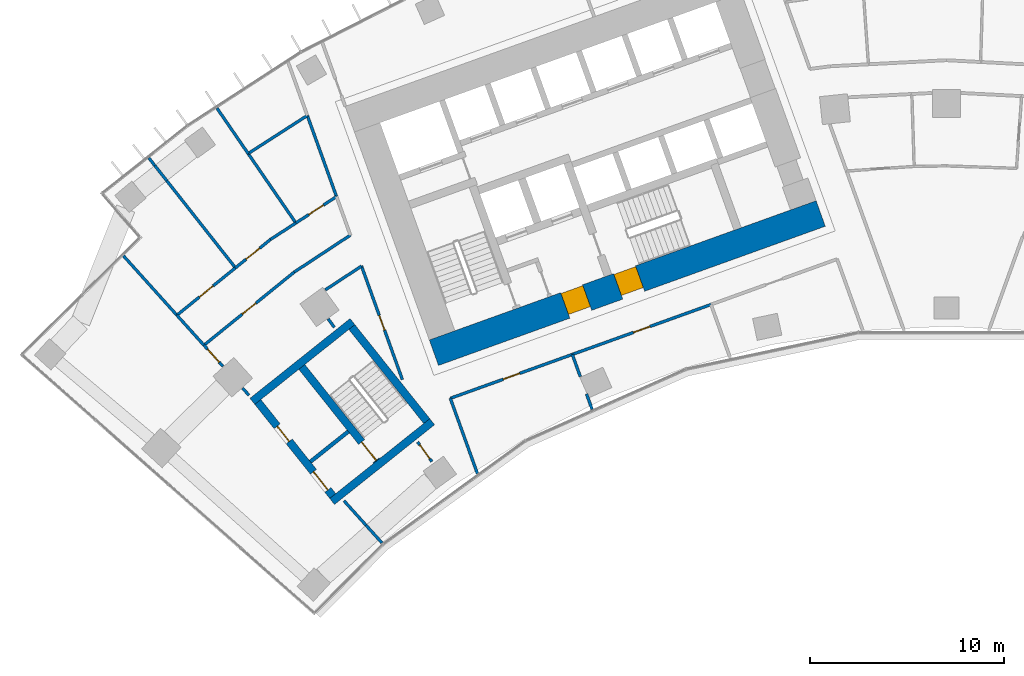
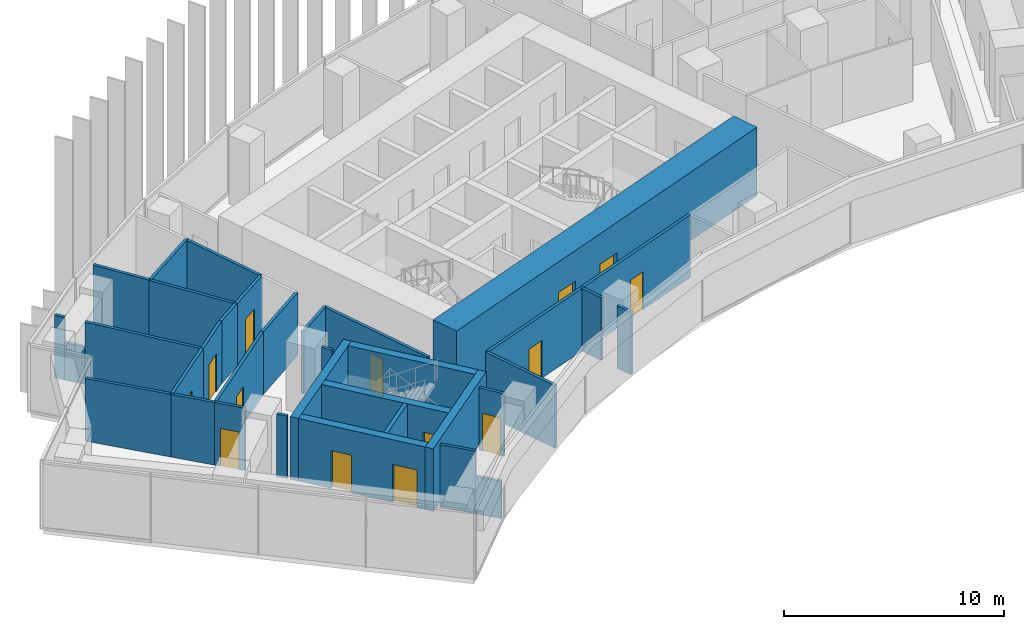
# One storey, part 15 of 22: 35 walls, 14 doors, 14 openings.
"""IFC4 building model written with IfcOpenShell, lengths in metres."""

from ifc_helpers import new_model, si_unit, direction, frame, frame_2d, origin, place, context, subcontext, project, spatial, rectangle, extrude, material, layer, layer_set, type_object, element, fill, save


model = new_model("IFC4")

# Units and contexts
model_context = context("Model", 3, precision=1e-05, world=origin(), true_north=direction((0.0, 1.0)))
body_context = subcontext(model_context, "Body", "Model", "MODEL_VIEW")
ifc_project = project(units=[si_unit("LENGTHUNIT", "METRE"), si_unit("AREAUNIT", "SQUARE_METRE"), si_unit("VOLUMEUNIT", "CUBIC_METRE"), si_unit("PLANEANGLEUNIT", "RADIAN"), si_unit("MASSUNIT", "GRAM", prefix="KILO")], contexts=[model_context])

# Site, building, storey
site_placement = place(None, origin())
site = spatial("IfcSite", under=ifc_project, at=site_placement, CompositionType="ELEMENT")
building_placement = place(site_placement, origin())
building = spatial("IfcBuilding", under=site, at=building_placement, Name="Stone Belt Terrace Tower", CompositionType="ELEMENT")
storey_placement = place(building_placement, frame((0.0, 0.0, 121.199951171875)))
storey = spatial("IfcBuildingStorey", under=building, at=storey_placement, Name="L29", CompositionType="ELEMENT", Elevation=121.199951171875)

# Wall, openings, doors
ifc_material_1 = material(Name="Concrete B80", Category="concrete")
ifc_layer_1 = layer(ifc_material_1, 1.39990234375)
ifc_layer_set_1 = layer_set([ifc_layer_1], Name="Core wall 1400 B80")
wall_type_1 = type_object("IfcWallType", Name="Core wall 1400 B80", PredefinedType="SHEAR", material=ifc_layer_set_1)
wall_1_placement = place(storey_placement, frame((-26.430908203125, 42.139404296875, 0.0), z_axis=(0.0, 0.0, 1.0), x_axis=(0.940923374003, 0.33861955681, 0.0)))
wall_1 = element("IfcWall", 1, at=wall_1_placement, inside=storey, type_object=wall_type_1, Name="Core A wall concave L29", PredefinedType="SHEAR", context=body_context, shape_type="SweptSolid", body=[
    extrude(rectangle(XDim=21.199951171875, YDim=1.39990234375, at=frame_2d((10.60009765625, 0.0))), origin(), (0.0, 0.0, 1.0), 3.800048828125),
])
opening_1_placement = place(wall_1_placement, frame((7.199951171875, 0.0, 0.0)))
opening_1 = element("IfcOpeningElement", 2, at=opening_1_placement, cuts=wall_1, Name="Opening L29-C05", PredefinedType="OPENING", context=body_context, shape_type="SweptSolid", body=[
    extrude(rectangle(XDim=1.199951171875, YDim=2.10009765625, at=frame_2d((0.60009765625, 1.050048828125))), frame((0.0, 0.7099609375, 0.0), z_axis=(0.0, -1.0, 0.0), x_axis=(1.0, 0.0, 0.0)), (0.0, 0.0, 1.0), 1.419921875),
])
opening_2_placement = place(wall_1_placement, frame((10.099853515625, 0.0, 0.0)))
opening_2 = element("IfcOpeningElement", 3, at=opening_2_placement, cuts=wall_1, Name="Opening L29-C07", PredefinedType="OPENING", context=body_context, shape_type="SweptSolid", body=[
    extrude(rectangle(XDim=1.199951171875, YDim=2.10009765625, at=frame_2d((0.60009765625, 1.050048828125))), frame((0.0, 0.7099609375, 0.0), z_axis=(0.0, -1.0, 0.0), x_axis=(1.0, 0.0, 0.0)), (0.0, 0.0, 1.0), 1.419921875),
])
ifc_material_2 = material(Name="Steel door leaf", Category="steel")
door_type_1 = type_object("IfcDoorType", Name="Fire-fighting lobby door 1200", OperationType="SINGLE_SWING_LEFT", PredefinedType="DOOR", material=ifc_material_2)
door_1_placement = place(opening_1_placement, origin())
door_1 = element("IfcDoor", 4, at=door_1_placement, inside=storey, type_object=door_type_1, Name="Fire-fighting lobby door core A", OperationType="SINGLE_SWING_RIGHT", OverallHeight=2.10009765625, OverallWidth=1.199951171875, PredefinedType="DOOR", context=body_context, shape_type="SweptSolid", body=[
    extrude(rectangle(XDim=1.199951171875, YDim=2.10009765625, at=frame_2d((0.60009765625, 1.050048828125))), frame((0.0, 0.655029296875, 0.0), z_axis=(0.0, -1.0, 0.0), x_axis=(1.0, 0.0, 0.0)), (0.0, 0.0, 1.0), 1.14990234375),
])
fill(opening_1, door_1)
door_type_2 = type_object("IfcDoorType", Name="Stair door 1200", OperationType="SINGLE_SWING_LEFT", PredefinedType="DOOR", material=ifc_material_2)
door_2_placement = place(opening_2_placement, origin())
door_2 = element("IfcDoor", 5, at=door_2_placement, inside=storey, type_object=door_type_2, Name="Stair 2 exit door core A", OperationType="SINGLE_SWING_LEFT", OverallHeight=2.10009765625, OverallWidth=1.199951171875, PredefinedType="DOOR", context=body_context, shape_type="SweptSolid", body=[
    extrude(rectangle(XDim=1.199951171875, YDim=2.10009765625, at=frame_2d((0.60009765625, 1.050048828125))), frame((0.0, 0.655029296875, 0.0), z_axis=(0.0, -1.0, 0.0), x_axis=(1.0, 0.0, 0.0)), (0.0, 0.0, 1.0), 1.14990234375),
])
fill(opening_2, door_2)

# Wall
ifc_material_3 = material(Name="Gypsum board partition")
ifc_layer_2 = layer(ifc_material_3, 0.14990234375)
ifc_layer_set_2 = layer_set([ifc_layer_2], Name="PARTITION 150 EI 60")
wall_type_2 = type_object("IfcWallType", Name="PARTITION 150 EI 60", PredefinedType="PARTITIONING", material=ifc_layer_set_2)
wall_2_placement = place(storey_placement, frame((-25.5859375, 39.79296875, 0.0), z_axis=(0.0, 0.0, 1.0), x_axis=(0.338545933013, -0.940949866486, 0.0)))
element("IfcWall", 6, at=wall_2_placement, inside=storey, type_object=wall_type_2, Name="L29/wall/i001", PredefinedType="PARTITIONING", context=body_context, shape_type="SweptSolid", body=[
    extrude(rectangle(XDim=4.135009765625, YDim=0.14990234375, at=frame_2d((2.0673828125, 0.0))), origin(), (0.0, 0.0, 1.0), 3.47998046875),
])

# Wall, opening, door
wall_3_placement = place(storey_placement, frame((-28.05810546875, 40.75390625, 0.0), z_axis=(0.0, 0.0, 1.0), x_axis=(-0.338523697563, 0.94095786632, 0.0)))
wall_3 = element("IfcWall", 7, at=wall_3_placement, inside=storey, type_object=wall_type_2, Name="L29/wall/i003", PredefinedType="PARTITIONING", context=body_context, shape_type="SweptSolid", body=[
    extrude(rectangle(XDim=6.226806640625, YDim=0.14990234375, at=frame_2d((3.11328125, 0.0))), origin(), (0.0, 0.0, 1.0), 3.47998046875),
])
opening_3_placement = place(wall_3_placement, frame((2.71337890625, 0.0, 0.0)))
opening_3 = element("IfcOpeningElement", 8, at=opening_3_placement, cuts=wall_3, Name="Opening D-B4-12", PredefinedType="OPENING", context=body_context, shape_type="SweptSolid", body=[
    extrude(rectangle(XDim=0.800048828125, YDim=2.10009765625, at=frame_2d((0.39990234375, 1.050048828125))), frame((0.0, 0.0849609375, 0.0), z_axis=(0.0, -1.0, 0.0), x_axis=(1.0, 0.0, 0.0)), (0.0, 0.0, 1.0), 0.169921875),
])
ifc_material_4 = material(Name="Timber door leaf", Category="wood")
door_type_3 = type_object("IfcDoorType", Name="STORE DOOR 800 X 2100", OperationType="NOTDEFINED", PredefinedType="DOOR", material=ifc_material_4)
door_3_placement = place(opening_3_placement, origin())
door_3 = element("IfcDoor", 9, at=door_3_placement, inside=storey, type_object=door_type_3, Name="L29/door/i12", OperationType="SINGLE_SWING_RIGHT", OverallHeight=2.10009765625, OverallWidth=0.800048828125, PredefinedType="DOOR", context=body_context, shape_type="SweptSolid", body=[
    extrude(rectangle(XDim=0.800048828125, YDim=2.10009765625, at=frame_2d((0.39990234375, 1.050048828125))), frame((0.0, 0.02490234375, 0.0), z_axis=(0.0, -1.0, 0.0), x_axis=(1.0, 0.0, 0.0)), (0.0, 0.0, 1.0), 0.050048828125),
])
fill(opening_3, door_3)

wall_4_placement = place(storey_placement, frame((-26.534912109375, 36.52294921875, 0.0), z_axis=(0.0, 0.0, 1.0), x_axis=(-0.58822969918, 0.80869389821, 0.0)))
wall_4 = element("IfcWall", 10, at=wall_4_placement, inside=storey, type_object=wall_type_2, Name="L29/wall/i004", PredefinedType="PARTITIONING", context=body_context, shape_type="SweptSolid", body=[
    extrude(rectangle(XDim=1.25146484375, YDim=0.14990234375, at=frame_2d((0.625732421875, 0.0))), origin(), (0.0, 0.0, 1.0), 3.47998046875),
])
opening_4_placement = place(wall_4_placement, frame((0.17578125, 0.0, 0.0)))
opening_4 = element("IfcOpeningElement", 11, at=opening_4_placement, cuts=wall_4, Name="Opening D-B4-13", PredefinedType="OPENING", context=body_context, shape_type="SweptSolid", body=[
    extrude(rectangle(XDim=0.89990234375, YDim=2.10009765625, at=frame_2d((0.449951171875, 1.050048828125))), frame((0.0, 0.0849609375, 0.0), z_axis=(0.0, -1.0, 0.0), x_axis=(1.0, 0.0, 0.0)), (0.0, 0.0, 1.0), 0.169921875),
])
door_type_4 = type_object("IfcDoorType", Name="OFFICE DOOR 900 X 2100", OperationType="NOTDEFINED", PredefinedType="DOOR", material=ifc_material_4)
door_4_placement = place(opening_4_placement, origin())
door_4 = element("IfcDoor", 12, at=door_4_placement, inside=storey, type_object=door_type_4, Name="L29/door/i13", OperationType="SINGLE_SWING_RIGHT", OverallHeight=2.10009765625, OverallWidth=0.89990234375, PredefinedType="DOOR", context=body_context, shape_type="SweptSolid", body=[
    extrude(rectangle(XDim=0.89990234375, YDim=2.10009765625, at=frame_2d((0.449951171875, 1.050048828125))), frame((0.0, 0.02490234375, 0.0), z_axis=(0.0, -1.0, 0.0), x_axis=(1.0, 0.0, 0.0)), (0.0, 0.0, 1.0), 0.050048828125),
])
fill(opening_4, door_4)

# Wall
wall_5_placement = place(storey_placement, frame((-31.451904296875, 50.18505859375, 0.0), z_axis=(0.0, 0.0, 1.0), x_axis=(-0.338639924683, 0.940916043763, 0.0)))
element("IfcWall", 13, at=wall_5_placement, inside=storey, type_object=wall_type_2, Name="L29/wall/i006", PredefinedType="PARTITIONING", context=body_context, shape_type="SweptSolid", body=[
    extrude(rectangle(XDim=4.4560546875, YDim=0.14990234375, at=frame_2d((2.22802734375, 0.0))), origin(), (0.0, 0.0, 1.0), 3.47998046875),
])

# Wall, opening, door
wall_6_placement = place(storey_placement, frame((-19.287109375, 42.052978515625, 0.0), z_axis=(0.0, 0.0, 1.0), x_axis=(-0.940935304033, -0.33858640496, 0.0)))
wall_6 = element("IfcWall", 14, at=wall_6_placement, inside=storey, type_object=wall_type_2, Name="L29/wall/i014", PredefinedType="PARTITIONING", context=body_context, shape_type="SweptSolid", body=[
    extrude(rectangle(XDim=6.692138671875, YDim=0.14990234375, at=frame_2d((3.34619140625, 0.0))), origin(), (0.0, 0.0, 1.0), 3.47998046875),
])
opening_5_placement = place(wall_6_placement, frame((2.896240234375, 0.0, 0.0)))
opening_5 = element("IfcOpeningElement", 15, at=opening_5_placement, cuts=wall_6, Name="Opening D-B4-01", PredefinedType="OPENING", context=body_context, shape_type="SweptSolid", body=[
    extrude(rectangle(XDim=0.89990234375, YDim=2.10009765625, at=frame_2d((0.449951171875, 1.050048828125))), frame((0.0, 0.0849609375, 0.0), z_axis=(0.0, -1.0, 0.0), x_axis=(1.0, 0.0, 0.0)), (0.0, 0.0, 1.0), 0.169921875),
])
door_5_placement = place(opening_5_placement, origin())
door_5 = element("IfcDoor", 16, at=door_5_placement, inside=storey, type_object=door_type_4, Name="L29/door/i01", OperationType="SINGLE_SWING_RIGHT", OverallHeight=2.10009765625, OverallWidth=0.89990234375, PredefinedType="DOOR", context=body_context, shape_type="SweptSolid", body=[
    extrude(rectangle(XDim=0.89990234375, YDim=2.10009765625, at=frame_2d((0.449951171875, 1.050048828125))), frame((0.0, 0.02490234375, 0.0), z_axis=(0.0, -1.0, 0.0), x_axis=(1.0, 0.0, 0.0)), (0.0, 0.0, 1.0), 0.050048828125),
])
fill(opening_5, door_5)

wall_7_placement = place(storey_placement, frame((-12.135009765625, 44.626953125, 0.0), z_axis=(0.0, 0.0, 1.0), x_axis=(-0.940936863003, -0.338582072534, 0.0)))
wall_7 = element("IfcWall", 17, at=wall_7_placement, inside=storey, type_object=wall_type_2, Name="L29/wall/i015", PredefinedType="PARTITIONING", context=body_context, shape_type="SweptSolid", body=[
    extrude(rectangle(XDim=7.61376953125, YDim=0.14990234375, at=frame_2d((3.806884765625, 0.0))), origin(), (0.0, 0.0, 1.0), 3.47998046875),
])
opening_6_placement = place(wall_7_placement, frame((3.35693359375, 0.0, 0.0)))
opening_6 = element("IfcOpeningElement", 18, at=opening_6_placement, cuts=wall_7, Name="Opening D-B4-02", PredefinedType="OPENING", context=body_context, shape_type="SweptSolid", body=[
    extrude(rectangle(XDim=0.89990234375, YDim=2.10009765625, at=frame_2d((0.449951171875, 1.050048828125))), frame((0.0, 0.0849609375, 0.0), z_axis=(0.0, -1.0, 0.0), x_axis=(1.0, 0.0, 0.0)), (0.0, 0.0, 1.0), 0.169921875),
])
door_6_placement = place(opening_6_placement, origin())
door_6 = element("IfcDoor", 19, at=door_6_placement, inside=storey, type_object=door_type_4, Name="L29/door/i02", OperationType="SINGLE_SWING_RIGHT", OverallHeight=2.10009765625, OverallWidth=0.89990234375, PredefinedType="DOOR", context=body_context, shape_type="SweptSolid", body=[
    extrude(rectangle(XDim=0.89990234375, YDim=2.10009765625, at=frame_2d((0.449951171875, 1.050048828125))), frame((0.0, 0.02490234375, 0.0), z_axis=(0.0, -1.0, 0.0), x_axis=(1.0, 0.0, 0.0)), (0.0, 0.0, 1.0), 0.050048828125),
])
fill(opening_6, door_6)

# Walls
wall_8_placement = place(storey_placement, frame((-19.29296875, 42.051025390625, 0.0), z_axis=(0.0, 0.0, 1.0), x_axis=(0.338726578261, -0.940884852242, 0.0)))
element("IfcWall", 20, at=wall_8_placement, inside=storey, type_object=wall_type_2, Name="L29/wall/i017", PredefinedType="PARTITIONING", context=body_context, shape_type="SweptSolid", body=[
    extrude(rectangle(XDim=1.2158203125, YDim=0.14990234375, at=frame_2d((0.60791015625, 0.0))), origin(), (0.0, 0.0, 1.0), 3.47998046875),
])
wall_9_placement = place(storey_placement, frame((-18.55908203125, 40.0126953125, 0.0), z_axis=(0.0, 0.0, 1.0), x_axis=(0.338739990078, -0.940880023766, 0.0)))
element("IfcWall", 21, at=wall_9_placement, inside=storey, type_object=wall_type_2, Name="L29/wall/i018", PredefinedType="PARTITIONING", context=body_context, shape_type="SweptSolid", body=[
    extrude(rectangle(XDim=0.842529296875, YDim=0.14990234375, at=frame_2d((0.42138671875, 0.0))), origin(), (0.0, 0.0, 1.0), 3.47998046875),
])

# Wall, opening, door
wall_10_placement = place(storey_placement, frame((-37.3076171875, 41.433837890625, 0.0), z_axis=(0.0, 0.0, 1.0), x_axis=(-0.669238977833, 0.743047233054, 0.0)))
wall_10 = element("IfcWall", 22, at=wall_10_placement, inside=storey, type_object=wall_type_2, Name="L29/wall/i037", PredefinedType="PARTITIONING", context=body_context, shape_type="SweptSolid", body=[
    extrude(rectangle(XDim=1.475341796875, YDim=0.14990234375, at=frame_2d((0.73779296875, 0.0))), origin(), (0.0, 0.0, 1.0), 3.47998046875),
])
opening_7_placement = place(wall_10_placement, frame((0.28759765625, 0.0, 0.0)))
opening_7 = element("IfcOpeningElement", 23, at=opening_7_placement, cuts=wall_10, Name="Opening D-B4-11", PredefinedType="OPENING", context=body_context, shape_type="SweptSolid", body=[
    extrude(rectangle(XDim=0.89990234375, YDim=2.10009765625, at=frame_2d((0.449951171875, 1.050048828125))), frame((0.0, 0.0849609375, 0.0), z_axis=(0.0, -1.0, 0.0), x_axis=(1.0, 0.0, 0.0)), (0.0, 0.0, 1.0), 0.169921875),
])
ifc_material_5 = material(Name="Timber fire door leaf", Category="wood")
door_type_5 = type_object("IfcDoorType", Name="TENANCY ENTRANCE DOOR 900 X 2100", OperationType="NOTDEFINED", PredefinedType="DOOR", material=ifc_material_5)
door_7_placement = place(opening_7_placement, origin())
door_7 = element("IfcDoor", 24, at=door_7_placement, inside=storey, type_object=door_type_5, Name="L29/door/i11", OperationType="SINGLE_SWING_RIGHT", OverallHeight=2.10009765625, OverallWidth=0.89990234375, PredefinedType="DOOR", context=body_context, shape_type="SweptSolid", body=[
    extrude(rectangle(XDim=0.89990234375, YDim=2.10009765625, at=frame_2d((0.449951171875, 1.050048828125))), frame((0.0, 0.02490234375, 0.0), z_axis=(0.0, -1.0, 0.0), x_axis=(1.0, 0.0, 0.0)), (0.0, 0.0, 1.0), 0.050048828125),
])
fill(opening_7, door_7)

# Walls
wall_11_placement = place(storey_placement, frame((-36.297119140625, 40.311767578125, 0.0), z_axis=(0.0, 0.0, 1.0), x_axis=(0.669100229536, -0.743172175768, 0.0)))
element("IfcWall", 25, at=wall_11_placement, inside=storey, type_object=wall_type_2, Name="L29/wall/i038", PredefinedType="PARTITIONING", context=body_context, shape_type="SweptSolid", body=[
    extrude(rectangle(XDim=0.497802734375, YDim=0.14990234375, at=frame_2d((0.2490234375, 0.0))), origin(), (0.0, 0.0, 1.0), 3.47998046875),
])
wall_12_placement = place(storey_placement, frame((-31.071044921875, 34.507080078125, 0.0), z_axis=(0.0, 0.0, 1.0), x_axis=(0.669258073593, -0.743030033667, 0.0)))
element("IfcWall", 26, at=wall_12_placement, inside=storey, type_object=wall_type_2, Name="L29/wall/i039-1", PredefinedType="PARTITIONING", context=body_context, shape_type="SweptSolid", body=[
    extrude(rectangle(XDim=1.700927734375, YDim=0.14990234375, at=frame_2d((0.8505859375, 0.0))), origin(), (0.0, 0.0, 1.0), 3.47998046875),
])
wall_13_placement = place(storey_placement, frame((-29.9326171875, 33.2431640625, 0.0), z_axis=(0.0, 0.0, 1.0), x_axis=(0.669227148663, -0.74305788704, 0.0)))
element("IfcWall", 27, at=wall_13_placement, inside=storey, type_object=wall_type_2, Name="L29/wall/i039-2", PredefinedType="PARTITIONING", context=body_context, shape_type="SweptSolid", body=[
    extrude(rectangle(XDim=1.2333984375, YDim=0.14990234375, at=frame_2d((0.61669921875, 0.0))), origin(), (0.0, 0.0, 1.0), 2.080078125),
])
wall_14_placement = place(storey_placement, frame((-39.68896484375, 44.077880859375, 0.0), z_axis=(0.0, 0.0, 1.0), x_axis=(0.66913854866, -0.743137674121, 0.0)))
element("IfcWall", 28, at=wall_14_placement, inside=storey, type_object=wall_type_2, Name="L29/wall/i040", PredefinedType="PARTITIONING", context=body_context, shape_type="SweptSolid", body=[
    extrude(rectangle(XDim=2.094970703125, YDim=0.14990234375, at=frame_2d((1.04736328125, 0.0))), origin(), (0.0, 0.0, 1.0), 3.47998046875),
])
wall_15_placement = place(storey_placement, frame((-42.43896484375, 47.13232421875, 0.0), z_axis=(0.0, 0.0, 1.0), x_axis=(0.669118518317, -0.743155709421, 0.0)))
element("IfcWall", 29, at=wall_15_placement, inside=storey, type_object=wall_type_2, Name="L29/wall/i041", PredefinedType="PARTITIONING", context=body_context, shape_type="SweptSolid", body=[
    extrude(rectangle(XDim=4.121826171875, YDim=0.14990234375, at=frame_2d((2.06103515625, 0.0))), origin(), (0.0, 0.0, 1.0), 3.47998046875),
])
wall_16_placement = place(storey_placement, frame((-30.1650390625, 46.60595703125, 0.0), z_axis=(0.0, 0.0, 1.0), x_axis=(-0.835442130402, -0.549578426386, 0.0)))
element("IfcWall", 30, at=wall_16_placement, inside=storey, type_object=wall_type_2, Name="L29/wall/i042", PredefinedType="PARTITIONING", context=body_context, shape_type="SweptSolid", body=[
    extrude(rectangle(XDim=2.237548828125, YDim=0.14990234375, at=frame_2d((1.11865234375, 0.0))), origin(), (0.0, 0.0, 1.0), 3.47998046875),
])
wall_17_placement = place(storey_placement, frame((-31.88427734375, 43.88525390625, 0.0), z_axis=(0.0, 0.0, 1.0), x_axis=(0.588064762831, -0.808813844291, 0.0)))
element("IfcWall", 31, at=wall_17_placement, inside=storey, type_object=wall_type_2, Name="L29/wall/i043", PredefinedType="PARTITIONING", context=body_context, shape_type="SweptSolid", body=[
    extrude(rectangle(XDim=0.54296875, YDim=0.14990234375, at=frame_2d((0.271484375, 0.0))), origin(), (0.0, 0.0, 1.0), 3.47998046875),
])

# Wall, opening, door
wall_18_placement = place(storey_placement, frame((-38.2900390625, 42.527099609375, 0.0), z_axis=(0.0, 0.0, 1.0), x_axis=(0.77714422733, 0.629322532513, 0.0)))
wall_18 = element("IfcWall", 32, at=wall_18_placement, inside=storey, type_object=wall_type_2, Name="L29/wall/i044", PredefinedType="PARTITIONING", context=body_context, shape_type="SweptSolid", body=[
    extrude(rectangle(XDim=5.98876953125, YDim=0.14990234375, at=frame_2d((2.994384765625, 0.0))), origin(), (0.0, 0.0, 1.0), 3.47998046875),
])
opening_8_placement = place(wall_18_placement, frame((2.54443359375, 0.0, 0.0)))
opening_8 = element("IfcOpeningElement", 33, at=opening_8_placement, cuts=wall_18, Name="Opening D-B4-14", PredefinedType="OPENING", context=body_context, shape_type="SweptSolid", body=[
    extrude(rectangle(XDim=0.89990234375, YDim=2.10009765625, at=frame_2d((0.449951171875, 1.050048828125))), frame((0.0, 0.0849609375, 0.0), z_axis=(0.0, -1.0, 0.0), x_axis=(1.0, 0.0, 0.0)), (0.0, 0.0, 1.0), 0.169921875),
])
door_8_placement = place(opening_8_placement, origin())
door_8 = element("IfcDoor", 34, at=door_8_placement, inside=storey, type_object=door_type_4, Name="L29/door/i14", OperationType="SINGLE_SWING_RIGHT", OverallHeight=2.10009765625, OverallWidth=0.89990234375, PredefinedType="DOOR", context=body_context, shape_type="SweptSolid", body=[
    extrude(rectangle(XDim=0.89990234375, YDim=2.10009765625, at=frame_2d((0.449951171875, 1.050048828125))), frame((0.0, 0.02490234375, 0.0), z_axis=(0.0, -1.0, 0.0), x_axis=(1.0, 0.0, 0.0)), (0.0, 0.0, 1.0), 0.050048828125),
])
fill(opening_8, door_8)

# Wall
wall_19_placement = place(storey_placement, frame((-33.635986328125, 46.2958984375, 0.0), z_axis=(0.0, 0.0, 1.0), x_axis=(0.835274160171, 0.549833681535, 0.0)))
element("IfcWall", 35, at=wall_19_placement, inside=storey, type_object=wall_type_2, Name="L29/wall/i045", PredefinedType="PARTITIONING", context=body_context, shape_type="SweptSolid", body=[
    extrude(rectangle(XDim=3.46826171875, YDim=0.14990234375, at=frame_2d((1.734130859375, 0.0))), origin(), (0.0, 0.0, 1.0), 3.47998046875),
])

# Wall, opening, door
wall_20_placement = place(storey_placement, frame((-39.68408203125, 44.073974609375, 0.0), z_axis=(0.0, 0.0, 1.0), x_axis=(0.777161522309, 0.629301174512, 0.0)))
wall_20 = element("IfcWall", 36, at=wall_20_placement, inside=storey, type_object=wall_type_2, Name="L29/wall/i046", PredefinedType="PARTITIONING", context=body_context, shape_type="SweptSolid", body=[
    extrude(rectangle(XDim=3.888427734375, YDim=0.14990234375, at=frame_2d((1.9443359375, 0.0))), origin(), (0.0, 0.0, 1.0), 3.47998046875),
])
opening_9_placement = place(wall_20_placement, frame((1.494140625, 0.0, 0.0)))
opening_9 = element("IfcOpeningElement", 37, at=opening_9_placement, cuts=wall_20, Name="Opening D-B4-15", PredefinedType="OPENING", context=body_context, shape_type="SweptSolid", body=[
    extrude(rectangle(XDim=0.89990234375, YDim=2.10009765625, at=frame_2d((0.449951171875, 1.050048828125))), frame((0.0, 0.0849609375, 0.0), z_axis=(0.0, -1.0, 0.0), x_axis=(1.0, 0.0, 0.0)), (0.0, 0.0, 1.0), 0.169921875),
])
door_9_placement = place(opening_9_placement, origin())
door_9 = element("IfcDoor", 38, at=door_9_placement, inside=storey, type_object=door_type_4, Name="L29/door/i15", OperationType="SINGLE_SWING_RIGHT", OverallHeight=2.10009765625, OverallWidth=0.89990234375, PredefinedType="DOOR", context=body_context, shape_type="SweptSolid", body=[
    extrude(rectangle(XDim=0.89990234375, YDim=2.10009765625, at=frame_2d((0.449951171875, 1.050048828125))), frame((0.0, 0.02490234375, 0.0), z_axis=(0.0, -1.0, 0.0), x_axis=(1.0, 0.0, 0.0)), (0.0, 0.0, 1.0), 0.050048828125),
])
fill(opening_9, door_9)

wall_21_placement = place(storey_placement, frame((-36.6708984375, 46.512939453125, 0.0), z_axis=(0.0, 0.0, 1.0), x_axis=(0.777000851917, 0.629499544178, 0.0)))
wall_21 = element("IfcWall", 39, at=wall_21_placement, inside=storey, type_object=wall_type_2, Name="L29/wall/i047", PredefinedType="PARTITIONING", context=body_context, shape_type="SweptSolid", body=[
    extrude(rectangle(XDim=2.33056640625, YDim=0.14990234375, at=frame_2d((1.165283203125, 0.0))), origin(), (0.0, 0.0, 1.0), 3.47998046875),
])
opening_10_placement = place(wall_21_placement, frame((0.71533203125, 0.0, 0.0)))
opening_10 = element("IfcOpeningElement", 40, at=opening_10_placement, cuts=wall_21, Name="Opening D-B4-16", PredefinedType="OPENING", context=body_context, shape_type="SweptSolid", body=[
    extrude(rectangle(XDim=0.89990234375, YDim=2.10009765625, at=frame_2d((0.449951171875, 1.050048828125))), frame((0.0, 0.0849609375, 0.0), z_axis=(0.0, -1.0, 0.0), x_axis=(1.0, 0.0, 0.0)), (0.0, 0.0, 1.0), 0.169921875),
])
door_10_placement = place(opening_10_placement, origin())
door_10 = element("IfcDoor", 41, at=door_10_placement, inside=storey, type_object=door_type_4, Name="L29/door/i16", OperationType="SINGLE_SWING_RIGHT", OverallHeight=2.10009765625, OverallWidth=0.89990234375, PredefinedType="DOOR", context=body_context, shape_type="SweptSolid", body=[
    extrude(rectangle(XDim=0.89990234375, YDim=2.10009765625, at=frame_2d((0.449951171875, 1.050048828125))), frame((0.0, 0.02490234375, 0.0), z_axis=(0.0, -1.0, 0.0), x_axis=(1.0, 0.0, 0.0)), (0.0, 0.0, 1.0), 0.050048828125),
])
fill(opening_10, door_10)

# Wall
wall_22_placement = place(storey_placement, frame((-34.860107421875, 47.97998046875, 0.0), z_axis=(0.0, 0.0, 1.0), x_axis=(0.838795891519, 0.54444600501, 0.0)))
element("IfcWall", 42, at=wall_22_placement, inside=storey, type_object=wall_type_2, Name="L29/wall/i048", PredefinedType="PARTITIONING", context=body_context, shape_type="SweptSolid", body=[
    extrude(rectangle(XDim=1.56689453125, YDim=0.14990234375, at=frame_2d((0.783447265625, 0.0))), origin(), (0.0, 0.0, 1.0), 3.47998046875),
])

# Wall, opening, door
wall_23_placement = place(storey_placement, frame((-33.555908203125, 48.826904296875, 0.0), z_axis=(0.0, 0.0, 1.0), x_axis=(0.838837427298, 0.544382007935, 0.0)))
wall_23 = element("IfcWall", 43, at=wall_23_placement, inside=storey, type_object=wall_type_2, Name="L29/wall/i049", PredefinedType="PARTITIONING", context=body_context, shape_type="SweptSolid", body=[
    extrude(rectangle(XDim=2.505615234375, YDim=0.14990234375, at=frame_2d((1.2529296875, 0.0))), origin(), (0.0, 0.0, 1.0), 3.47998046875),
])
opening_11_placement = place(wall_23_placement, frame((0.802978515625, 0.0, 0.0)))
opening_11 = element("IfcOpeningElement", 44, at=opening_11_placement, cuts=wall_23, Name="Opening D-B4-17", PredefinedType="OPENING", context=body_context, shape_type="SweptSolid", body=[
    extrude(rectangle(XDim=0.89990234375, YDim=2.10009765625, at=frame_2d((0.449951171875, 1.050048828125))), frame((0.0, 0.0849609375, 0.0), z_axis=(0.0, -1.0, 0.0), x_axis=(1.0, 0.0, 0.0)), (0.0, 0.0, 1.0), 0.169921875),
])
door_11_placement = place(opening_11_placement, origin())
door_11 = element("IfcDoor", 45, at=door_11_placement, inside=storey, type_object=door_type_4, Name="L29/door/i17", OperationType="SINGLE_SWING_RIGHT", OverallHeight=2.10009765625, OverallWidth=0.89990234375, PredefinedType="DOOR", context=body_context, shape_type="SweptSolid", body=[
    extrude(rectangle(XDim=0.89990234375, YDim=2.10009765625, at=frame_2d((0.449951171875, 1.050048828125))), frame((0.0, 0.02490234375, 0.0), z_axis=(0.0, -1.0, 0.0), x_axis=(1.0, 0.0, 0.0)), (0.0, 0.0, 1.0), 0.050048828125),
])
fill(opening_11, door_11)

# Walls
wall_24_placement = place(storey_placement, frame((-41.130859375, 52.180419921875, 0.0), z_axis=(0.0, 0.0, 1.0), x_axis=(0.619048563294, -0.785352708204, 0.0)))
element("IfcWall", 46, at=wall_24_placement, inside=storey, type_object=wall_type_2, Name="L29/wall/i050-1", PredefinedType="PARTITIONING", context=body_context, shape_type="SweptSolid", body=[
    extrude(rectangle(XDim=0.49169921875, YDim=0.14990234375, at=frame_2d((0.245849609375, 0.0))), origin(), (0.0, 0.0, 1.0), 3.47998046875),
])
wall_25_placement = place(storey_placement, frame((-40.826416015625, 51.794189453125, 0.0), z_axis=(0.0, 0.0, 1.0), x_axis=(0.618995387577, -0.785394620658, 0.0)))
element("IfcWall", 47, at=wall_25_placement, inside=storey, type_object=wall_type_2, Name="L29/wall/i050-2", PredefinedType="PARTITIONING", context=body_context, shape_type="SweptSolid", body=[
    extrude(rectangle(XDim=1.000732421875, YDim=0.14990234375, at=frame_2d((0.50048828125, 0.0))), origin(), (0.0, 0.0, 1.0), 2.080078125),
])
wall_26_placement = place(storey_placement, frame((-40.20703125, 51.00830078125, 0.0), z_axis=(0.0, 0.0, 1.0), x_axis=(0.619035047884, -0.785363361439, 0.0)))
element("IfcWall", 48, at=wall_26_placement, inside=storey, type_object=wall_type_2, Name="L29/wall/i050-3", PredefinedType="PARTITIONING", context=body_context, shape_type="SweptSolid", body=[
    extrude(rectangle(XDim=5.71875, YDim=0.14990234375, at=frame_2d((2.859375, 0.0))), origin(), (0.0, 0.0, 1.0), 3.47998046875),
])
wall_27_placement = place(storey_placement, frame((-36.013916015625, 52.4140625, 0.0), z_axis=(0.0, 0.0, 1.0), x_axis=(0.566357258318, -0.824159848543, 0.0)))
element("IfcWall", 49, at=wall_27_placement, inside=storey, type_object=wall_type_2, Name="L29/wall/i051", PredefinedType="PARTITIONING", context=body_context, shape_type="SweptSolid", body=[
    extrude(rectangle(XDim=4.3486328125, YDim=0.14990234375, at=frame_2d((2.17431640625, 0.0))), origin(), (0.0, 0.0, 1.0), 3.47998046875),
])
wall_28_placement = place(storey_placement, frame((-37.61962890625, 54.75244140625, 0.0), z_axis=(0.0, 0.0, 1.0), x_axis=(0.566219533081, -0.824254475485, 0.0)))
element("IfcWall", 50, at=wall_28_placement, inside=storey, type_object=wall_type_2, Name="L29/wall/i052", PredefinedType="PARTITIONING", context=body_context, shape_type="SweptSolid", body=[
    extrude(rectangle(XDim=2.847900390625, YDim=0.14990234375, at=frame_2d((1.423828125, 0.0))), origin(), (0.0, 0.0, 1.0), 3.47998046875),
])
wall_29_placement = place(storey_placement, frame((-36.010009765625, 52.409912109375, 0.0), z_axis=(0.0, 0.0, 1.0), x_axis=(0.841080058793, 0.540910653158, 0.0)))
element("IfcWall", 51, at=wall_29_placement, inside=storey, type_object=wall_type_2, Name="L29/wall/i053", PredefinedType="PARTITIONING", context=body_context, shape_type="SweptSolid", body=[
    extrude(rectangle(XDim=3.62744140625, YDim=0.14990234375, at=frame_2d((1.813720703125, 0.0))), origin(), (0.0, 0.0, 1.0), 3.47998046875),
])
ifc_material_6 = material(Name="Concrete masonry block", Category="masonry")
ifc_layer_3 = layer(ifc_material_6, 0.199951171875)
ifc_layer_set_3 = layer_set([ifc_layer_3], Name="Rated lobby wall 200")
wall_type_3 = type_object("IfcWallType", Name="Rated lobby wall 200", PredefinedType="PARTITIONING", material=ifc_layer_set_3)
wall_30_placement = place(storey_placement, frame((-30.845703125, 38.074951171875, 0.0), z_axis=(0.0, 0.0, 1.0), x_axis=(-0.782115323833, -0.623133709749, 0.0)))
element("IfcWall", 52, at=wall_30_placement, inside=storey, type_object=wall_type_3, Name="Exit stair ST3A wall", PredefinedType="PARTITIONING", context=body_context, shape_type="SweptSolid", body=[
    extrude(rectangle(XDim=2.5, YDim=0.199951171875, at=frame_2d((1.25, 0.0))), origin(), (0.0, 0.0, 1.0), 3.47998046875),
])
ifc_layer_4 = layer(ifc_material_1, 0.39990234375)
ifc_layer_set_4 = layer_set([ifc_layer_4], Name="Stair enclosure wall 400")
wall_type_4 = type_object("IfcWallType", Name="Stair enclosure wall 400", PredefinedType="SHEAR", material=ifc_layer_set_4)
for number, where, z_axis, x_axis, name in (
    (53, (-26.518798828125, 38.58154296875, 0.0), (0.0, 0.0, 1.0), (-0.782133914161, -0.623110375711, 0.0), "Exit stair ST3A wall"),
    (54, (-30.63134765625, 43.74365234375, 0.0), (0.0, 0.0, 1.0), (-0.782133914161, -0.623110375711, 0.0), "Exit stair ST3A wall"),
):
    element("IfcWall", number, at=place(storey_placement, frame(where, z_axis=z_axis, x_axis=x_axis)), inside=storey, type_object=wall_type_4, Name=name, PredefinedType="SHEAR", context=body_context, shape_type="SweptSolid", body=[
        extrude(rectangle(XDim=6.60009765625, YDim=0.39990234375, at=frame_2d((3.300048828125, 0.0))), origin(), (0.0, 0.0, 1.0), 3.47998046875),
    ])
wall_31_placement = place(storey_placement, frame((-26.7998046875, 38.61328125, 0.0), z_axis=(0.0, 0.0, 1.0), x_axis=(-0.623118653668, 0.782127319208, 0.0)))
element("IfcWall", 55, at=wall_31_placement, inside=storey, type_object=wall_type_4, Name="Exit stair ST3A wall", PredefinedType="SHEAR", context=body_context, shape_type="SweptSolid", body=[
    extrude(rectangle(XDim=6.199951171875, YDim=0.39990234375, at=frame_2d((3.10009765625, 0.0))), origin(), (0.0, 0.0, 1.0), 3.47998046875),
])

# Wall, openings, doors
wall_32_placement = place(storey_placement, frame((-31.64892578125, 34.75, 0.0), z_axis=(0.0, 0.0, 1.0), x_axis=(-0.623118653668, 0.782127319208, 0.0)))
wall_32 = element("IfcWall", 56, at=wall_32_placement, inside=storey, type_object=wall_type_4, Name="Exit stair ST3A wall", PredefinedType="SHEAR", context=body_context, shape_type="SweptSolid", body=[
    extrude(rectangle(XDim=6.199951171875, YDim=0.39990234375, at=frame_2d((3.10009765625, 0.0))), origin(), (0.0, 0.0, 1.0), 3.47998046875),
])
opening_12_placement = place(wall_32_placement, frame((0.39990234375, 0.0, 0.0)))
opening_12 = element("IfcOpeningElement", 57, at=opening_12_placement, cuts=wall_32, Name="Opening L29-C18", PredefinedType="OPENING", context=body_context, shape_type="SweptSolid", body=[
    extrude(rectangle(XDim=1.199951171875, YDim=2.10009765625, at=frame_2d((0.60009765625, 1.050048828125))), frame((0.0, 0.2099609375, 0.0), z_axis=(0.0, -1.0, 0.0), x_axis=(1.0, 0.0, 0.0)), (0.0, 0.0, 1.0), 0.419921875),
])
opening_13_placement = place(wall_32_placement, frame((3.60009765625, 0.0, 0.0)))
opening_13 = element("IfcOpeningElement", 58, at=opening_13_placement, cuts=wall_32, Name="Opening L29-C19", PredefinedType="OPENING", context=body_context, shape_type="SweptSolid", body=[
    extrude(rectangle(XDim=1.0, YDim=2.10009765625, at=frame_2d((0.5, 1.050048828125))), frame((0.0, 0.2099609375, 0.0), z_axis=(0.0, -1.0, 0.0), x_axis=(1.0, 0.0, 0.0)), (0.0, 0.0, 1.0), 0.419921875),
])
door_type_6 = type_object("IfcDoorType", Name="Core room door 1000", OperationType="SINGLE_SWING_LEFT", PredefinedType="DOOR", material=ifc_material_4)
door_12_placement = place(opening_13_placement, origin())
door_12 = element("IfcDoor", 59, at=door_12_placement, inside=storey, type_object=door_type_6, Name="Door to stair pressurisation plant room ST3A", OperationType="SINGLE_SWING_LEFT", OverallHeight=2.10009765625, OverallWidth=1.0, PredefinedType="DOOR", context=body_context, shape_type="SweptSolid", body=[
    extrude(rectangle(XDim=1.0, YDim=2.10009765625, at=frame_2d((0.5, 1.050048828125))), frame((0.0, 0.02490234375, 0.0), z_axis=(0.0, -1.0, 0.0), x_axis=(1.0, 0.0, 0.0)), (0.0, 0.0, 1.0), 0.050048828125),
])
fill(opening_13, door_12)
door_type_7 = type_object("IfcDoorType", Name="Stair airlock door 1200", OperationType="SINGLE_SWING_LEFT", PredefinedType="DOOR", material=ifc_material_2)
door_13_placement = place(opening_12_placement, origin())
door_13 = element("IfcDoor", 60, at=door_13_placement, inside=storey, type_object=door_type_7, Name="Stair airlock door ST3A", OperationType="SINGLE_SWING_LEFT", OverallHeight=2.10009765625, OverallWidth=1.199951171875, PredefinedType="DOOR", context=body_context, shape_type="SweptSolid", body=[
    extrude(rectangle(XDim=1.199951171875, YDim=2.10009765625, at=frame_2d((0.60009765625, 1.050048828125))), frame((0.0, 0.02490234375, 0.0), z_axis=(0.0, -1.0, 0.0), x_axis=(1.0, 0.0, 0.0)), (0.0, 0.0, 1.0), 0.050048828125),
])
fill(opening_12, door_13)

# Wall, opening, door
wall_33_placement = place(storey_placement, frame((-29.380859375, 36.556884765625, 0.0), z_axis=(0.0, 0.0, 1.0), x_axis=(-0.623099462847, 0.782142608097, 0.0)))
wall_33 = element("IfcWall", 61, at=wall_33_placement, inside=storey, type_object=wall_type_4, Name="Exit stair ST3A wall", PredefinedType="SHEAR", context=body_context, shape_type="SweptSolid", body=[
    extrude(rectangle(XDim=6.2001953125, YDim=0.39990234375, at=frame_2d((3.10009765625, 0.0))), origin(), (0.0, 0.0, 1.0), 3.47998046875),
])
opening_14_placement = place(wall_33_placement, frame((0.050048828125, 0.0, 0.0)))
opening_14 = element("IfcOpeningElement", 62, at=opening_14_placement, cuts=wall_33, Name="Opening L29-C17", PredefinedType="OPENING", context=body_context, shape_type="SweptSolid", body=[
    extrude(rectangle(XDim=1.199951171875, YDim=2.10009765625, at=frame_2d((0.60009765625, 1.050048828125))), frame((0.0, 0.2099609375, 0.0), z_axis=(0.0, -1.0, 0.0), x_axis=(1.0, 0.0, 0.0)), (0.0, 0.0, 1.0), 0.419921875),
])
door_14_placement = place(opening_14_placement, origin())
door_14 = element("IfcDoor", 63, at=door_14_placement, inside=storey, type_object=door_type_2, Name="Stair door ST3A", OperationType="SINGLE_SWING_RIGHT", OverallHeight=2.10009765625, OverallWidth=1.199951171875, PredefinedType="DOOR", context=body_context, shape_type="SweptSolid", body=[
    extrude(rectangle(XDim=1.199951171875, YDim=2.10009765625, at=frame_2d((0.60009765625, 1.050048828125))), frame((0.0, 0.02490234375, 0.0), z_axis=(0.0, -1.0, 0.0), x_axis=(1.0, 0.0, 0.0)), (0.0, 0.0, 1.0), 0.050048828125),
])
fill(opening_14, door_14)

save(model, "model.ifc")
